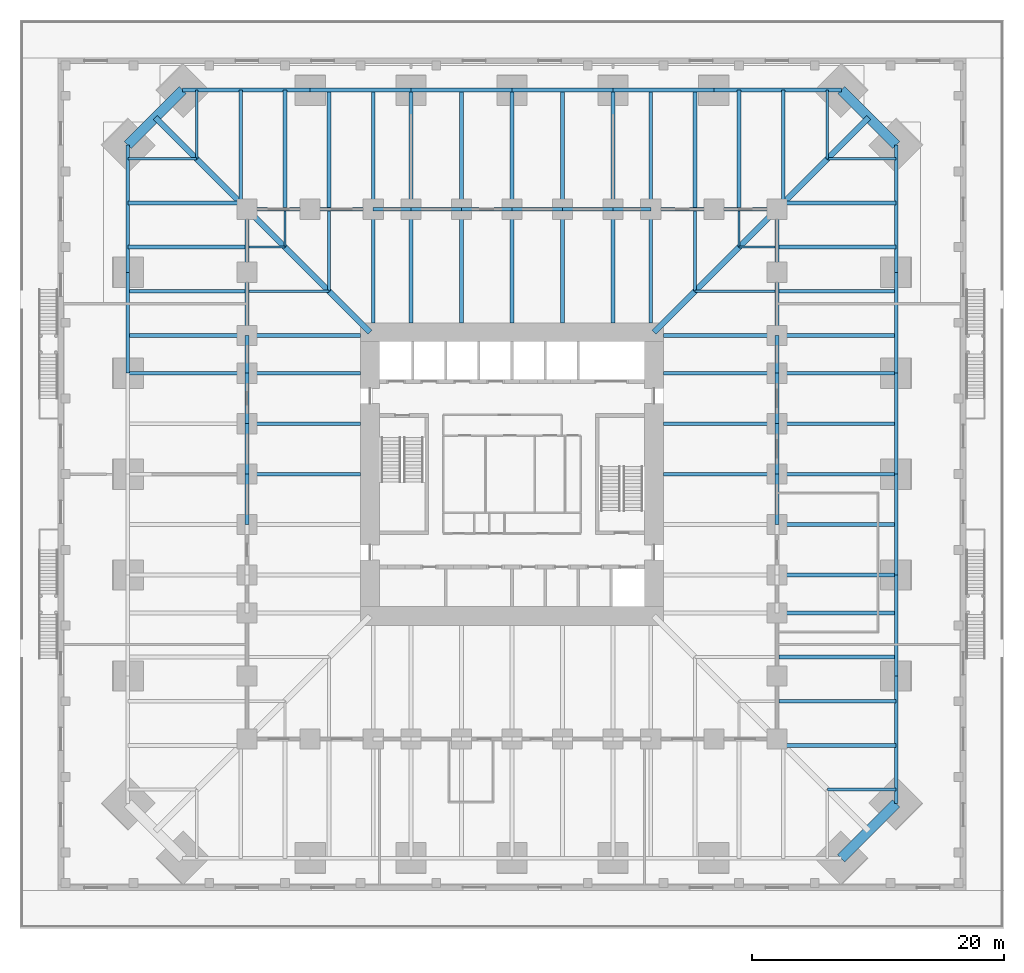
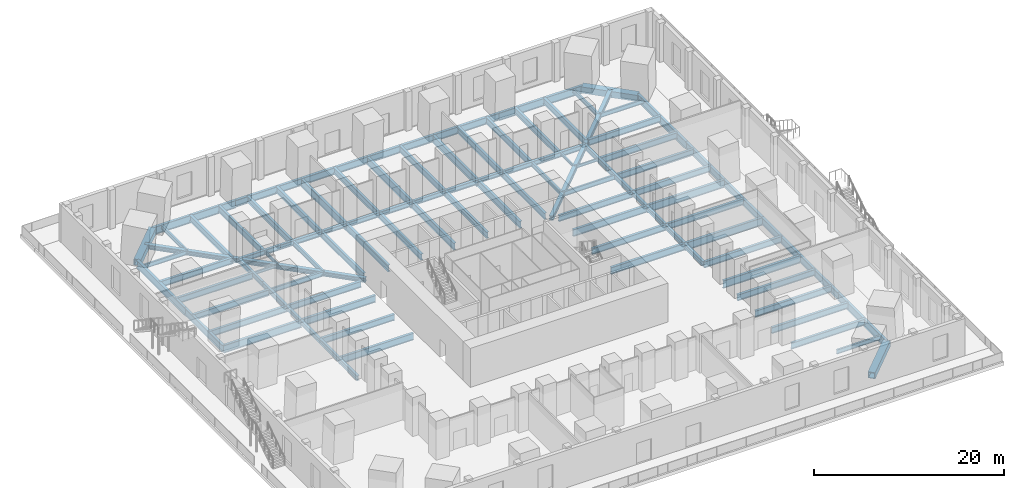
# One storey, part 8 of 20: 102 beams.
"""IFC4 building model written with IfcOpenShell, lengths in metres."""

from ifc_helpers import new_model, si_unit, direction, frame, origin, origin_2d, place, context, subcontext, project, spatial, hollow_rectangle, i_section, extrude, material, material_profile, profile_set, type_object, element, save


model = new_model("IFC4")

# Units and contexts
model_context = context("Model", 3, precision=1e-05, world=origin(), true_north=direction((0.0, 1.0)))
body_context = subcontext(model_context, "Body", "Model", "MODEL_VIEW")
ifc_project = project(units=[si_unit("LENGTHUNIT", "METRE"), si_unit("AREAUNIT", "SQUARE_METRE"), si_unit("VOLUMEUNIT", "CUBIC_METRE"), si_unit("PLANEANGLEUNIT", "RADIAN"), si_unit("MASSUNIT", "GRAM", prefix="KILO")], contexts=[model_context])

# Site, building, storey
site_placement = place(None, origin())
site = spatial("IfcSite", under=ifc_project, at=site_placement, CompositionType="ELEMENT")
building_placement = place(site_placement, origin())
building = spatial("IfcBuilding", under=site, at=building_placement, Name="Peilmerk Tower", CompositionType="ELEMENT")
storey_placement = place(building_placement, frame((0.0, 0.0, 11.0)))
storey = spatial("IfcBuildingStorey", under=building, at=storey_placement, Name="L02", CompositionType="ELEMENT", Elevation=11.0)

# Beams
ifc_material_1 = material(Name="Steel S355", Category="steel")
ifc_material_profile_1 = material_profile(ifc_material_1, i_section(OverallWidth=0.219970703125, OverallDepth=0.60009765625, WebThickness=0.011962890625, FlangeThickness=0.01904296875, at=origin_2d()), Name="IPE 600")
ifc_profile_set_1 = profile_set([ifc_material_profile_1], Name="Steel S355")
beam_type_1 = type_object("IfcBeamType", Name="B10 IPE 600 floor beam", PredefinedType="BEAM", material=ifc_profile_set_1)
for number, where, z_axis, x_axis, name in (
    (1, (14.5, 14.5, -0.5), (0.0, 1.0, 0.0), (-1.0, 0.0, 0.0), "Floor beam L02"),
    (2, (14.5, 14.5, -0.5), (1.0, 0.0, 0.0), (0.0, 1.0, 0.0), "Floor beam L02"),
    (3, (-14.5, 14.5, -0.5), (0.0, 1.0, 0.0), (-1.0, 0.0, 0.0), "Floor beam L02"),
    (4, (-14.5, 14.5, -0.5), (-1.0, 0.0, 0.0), (0.0, -1.0, 0.0), "Floor beam L02"),
):
    element("IfcBeam", number, at=place(storey_placement, frame(where, z_axis=z_axis, x_axis=x_axis)), inside=storey, type_object=beam_type_1, Name=name, PredefinedType="BEAM", context=body_context, shape_type="SweptSolid", body=[
        extrude(i_section(OverallWidth=0.219970703125, OverallDepth=0.60009765625, WebThickness=0.011962890625, FlangeThickness=0.01904296875, at=origin_2d()), origin(), (0.0, 0.0, 1.0), 6.347412109375),
    ])
ifc_material_profile_2 = material_profile(ifc_material_1, i_section(OverallWidth=0.169921875, OverallDepth=0.360107421875, WebThickness=0.008056640625, FlangeThickness=0.0126953125, at=origin_2d()), Name="IPE 360")
ifc_profile_set_2 = profile_set([ifc_material_profile_2], Name="Steel S355")
beam_type_2 = type_object("IfcBeamType", Name="B11 IPE 360 floor beam", PredefinedType="BEAM", material=ifc_profile_set_2)
for number, where, z_axis, x_axis, name in (
    (5, (18.0, 18.0, -0.3798828125), (0.0, 1.0, 0.0), (-1.0, 0.0, 0.0), "Floor beam L02"),
    (6, (18.0, 18.0, -0.3798828125), (1.0, 0.0, 0.0), (0.0, 1.0, 0.0), "Floor beam L02"),
    (7, (-18.0, 18.0, -0.3798828125), (0.0, 1.0, 0.0), (-1.0, 0.0, 0.0), "Floor beam L02"),
    (8, (-18.0, 18.0, -0.3798828125), (-1.0, 0.0, 0.0), (0.0, -1.0, 0.0), "Floor beam L02"),
):
    element("IfcBeam", number, at=place(storey_placement, frame(where, z_axis=z_axis, x_axis=x_axis)), inside=storey, type_object=beam_type_2, Name=name, PredefinedType="BEAM", context=body_context, shape_type="SweptSolid", body=[
        extrude(i_section(OverallWidth=0.169921875, OverallDepth=0.360107421875, WebThickness=0.008056640625, FlangeThickness=0.0126953125, at=origin_2d()), origin(), (0.0, 0.0, 1.0), 2.847412109375),
    ])
ifc_material_profile_3 = material_profile(ifc_material_1, i_section(OverallWidth=0.2099609375, OverallDepth=0.550048828125, WebThickness=0.010986328125, FlangeThickness=0.01708984375, at=origin_2d()), Name="IPE 550")
ifc_profile_set_3 = profile_set([ifc_material_profile_3], Name="Steel S355")
beam_type_3 = type_object("IfcBeamType", Name="B12 IPE 550 floor beam", PredefinedType="BEAM", material=ifc_profile_set_3)
for number, where, z_axis, x_axis, name in (
    (9, (25.0, 25.0, -0.47509765625), (0.0, 1.0, 0.0), (-1.0, 0.0, 0.0), "Floor beam L02"),
    (10, (25.0, 25.0, -0.47509765625), (1.0, 0.0, 0.0), (0.0, 1.0, 0.0), "Floor beam L02"),
    (11, (25.0, -25.0, -0.47509765625), (1.0, 0.0, 0.0), (0.0, 1.0, 0.0), "Floor beam L02"),
    (12, (-25.0, 25.0, -0.47509765625), (0.0, 1.0, 0.0), (-1.0, 0.0, 0.0), "Floor beam L02"),
    (13, (-25.0, 25.0, -0.47509765625), (-1.0, 0.0, 0.0), (0.0, -1.0, 0.0), "Floor beam L02"),
):
    element("IfcBeam", number, at=place(storey_placement, frame(where, z_axis=z_axis, x_axis=x_axis)), inside=storey, type_object=beam_type_3, Name=name, PredefinedType="BEAM", context=body_context, shape_type="SweptSolid", body=[
        extrude(i_section(OverallWidth=0.2099609375, OverallDepth=0.550048828125, WebThickness=0.010986328125, FlangeThickness=0.01708984375, at=origin_2d()), origin(), (0.0, 0.0, 1.0), 5.453125),
    ])
ifc_material_profile_4 = material_profile(ifc_material_1, i_section(OverallWidth=0.300048828125, OverallDepth=1.0, WebThickness=0.01904296875, FlangeThickness=0.035888671875, at=origin_2d()), Name="HEB 1000")
ifc_profile_set_4 = profile_set([ifc_material_profile_4], Name="Steel S355")
beam_type_4 = type_object("IfcBeamType", Name="B13 HEB 1000 edge beam", PredefinedType="SPANDREL", material=ifc_profile_set_4)
for number, where, z_axis, x_axis, name in (
    (14, (26.103271484375, 30.453125, -0.699951171875), (-1.0, 0.0, 0.0), (0.0, -1.0, 0.0), "Edge beam L02"),
    (15, (-16.0, 30.453125, -0.699951171875), (-1.0, 0.0, 0.0), (0.0, -1.0, 0.0), "Edge beam L02"),
    (16, (30.453125, -26.103271484375, -0.699951171875), (0.0, 1.0, 0.0), (-1.0, 0.0, 0.0), "Edge beam L02"),
    (17, (30.453125, 16.0, -0.699951171875), (0.0, 1.0, 0.0), (-1.0, 0.0, 0.0), "Edge beam L02"),
    (18, (-30.453125, 26.103271484375, -0.699951171875), (0.0, -1.0, 0.0), (1.0, 0.0, 0.0), "Edge beam L02"),
):
    element("IfcBeam", number, at=place(storey_placement, frame(where, z_axis=z_axis, x_axis=x_axis)), inside=storey, type_object=beam_type_4, Name=name, PredefinedType="SPANDREL", context=body_context, shape_type="SweptSolid", body=[
        extrude(i_section(OverallWidth=0.300048828125, OverallDepth=1.0, WebThickness=0.01904296875, FlangeThickness=0.035888671875, at=origin_2d()), origin(), (0.0, 0.0, 1.0), 10.103271484375),
    ])
ifc_material_profile_5 = material_profile(ifc_material_1, i_section(OverallWidth=0.300048828125, OverallDepth=0.989990234375, WebThickness=0.0166015625, FlangeThickness=0.031005859375, at=origin_2d()), Name="HEA 1000")
ifc_profile_set_5 = profile_set([ifc_material_profile_5], Name="Steel S355")
beam_type_5 = type_object("IfcBeamType", Name="B14 HEA 1000 floor girder", PredefinedType="BEAM", material=ifc_profile_set_5)
for number, where, z_axis, x_axis, name in (
    (19, (8.0, 21.0, -0.695068359375), (0.0, 1.0, 0.0), (-1.0, 0.0, 0.0), "Floor girder L02"),
    (20, (0.0, 21.0, -0.695068359375), (0.0, 1.0, 0.0), (-1.0, 0.0, 0.0), "Floor girder L02"),
    (21, (-8.0, 21.0, -0.695068359375), (0.0, 1.0, 0.0), (-1.0, 0.0, 0.0), "Floor girder L02"),
    (22, (21.0, -8.0, -0.695068359375), (1.0, 0.0, 0.0), (0.0, 1.0, 0.0), "Floor girder L02"),
    (23, (21.0, 0.0, -0.695068359375), (1.0, 0.0, 0.0), (0.0, 1.0, 0.0), "Floor girder L02"),
    (24, (21.0, 8.0, -0.695068359375), (1.0, 0.0, 0.0), (0.0, 1.0, 0.0), "Floor girder L02"),
    (25, (-21.0, 8.0, -0.695068359375), (-1.0, 0.0, 0.0), (0.0, -1.0, 0.0), "Floor girder L02"),
):
    element("IfcBeam", number, at=place(storey_placement, frame(where, z_axis=z_axis, x_axis=x_axis)), inside=storey, type_object=beam_type_5, Name=name, PredefinedType="BEAM", context=body_context, shape_type="SweptSolid", body=[
        extrude(i_section(OverallWidth=0.300048828125, OverallDepth=0.989990234375, WebThickness=0.0166015625, FlangeThickness=0.031005859375, at=origin_2d()), origin(), (0.0, 0.0, 1.0), 9.453125),
    ])
ifc_material_profile_6 = material_profile(ifc_material_1, i_section(OverallWidth=0.302001953125, OverallDepth=0.909912109375, WebThickness=0.02099609375, FlangeThickness=0.0400390625, at=origin_2d()), Name="HEM 900")
ifc_profile_set_6 = profile_set([ifc_material_profile_6], Name="Steel S355")
beam_type_6 = type_object("IfcBeamType", Name="B2 HEM 900 edge beam", PredefinedType="SPANDREL", material=ifc_profile_set_6)
for number, where, z_axis, x_axis, name in (
    (26, (16.0, 30.453125, -0.655029296875), (-1.0, 0.0, 0.0), (0.0, -1.0, 0.0), "Edge beam L02"),
    (27, (8.0, 30.453125, -0.655029296875), (-1.0, 0.0, 0.0), (0.0, -1.0, 0.0), "Edge beam L02"),
    (28, (0.0, 30.453125, -0.655029296875), (-1.0, 0.0, 0.0), (0.0, -1.0, 0.0), "Edge beam L02"),
    (29, (-8.0, 30.453125, -0.655029296875), (-1.0, 0.0, 0.0), (0.0, -1.0, 0.0), "Edge beam L02"),
    (30, (30.453125, -16.0, -0.655029296875), (0.0, 1.0, 0.0), (-1.0, 0.0, 0.0), "Edge beam L02"),
    (31, (30.453125, -8.0, -0.655029296875), (0.0, 1.0, 0.0), (-1.0, 0.0, 0.0), "Edge beam L02"),
    (32, (30.453125, 0.0, -0.655029296875), (0.0, 1.0, 0.0), (-1.0, 0.0, 0.0), "Edge beam L02"),
    (33, (30.453125, 8.0, -0.655029296875), (0.0, 1.0, 0.0), (-1.0, 0.0, 0.0), "Edge beam L02"),
    (34, (-30.453125, 16.0, -0.655029296875), (0.0, -1.0, 0.0), (1.0, 0.0, 0.0), "Edge beam L02"),
):
    element("IfcBeam", number, at=place(storey_placement, frame(where, z_axis=z_axis, x_axis=x_axis)), inside=storey, type_object=beam_type_6, Name=name, PredefinedType="SPANDREL", context=body_context, shape_type="SweptSolid", body=[
        extrude(i_section(OverallWidth=0.302001953125, OverallDepth=0.909912109375, WebThickness=0.02099609375, FlangeThickness=0.0400390625, at=origin_2d()), origin(), (0.0, 0.0, 1.0), 8.0),
    ])
ifc_material_profile_7 = material_profile(ifc_material_1, i_section(OverallWidth=0.300048828125, OverallDepth=0.7900390625, WebThickness=0.014892578125, FlangeThickness=0.028076171875, at=origin_2d()), Name="HEA 800")
ifc_profile_set_7 = profile_set([ifc_material_profile_7], Name="Steel S355")
beam_type_7 = type_object("IfcBeamType", Name="B3 HEA 800 floor beam", PredefinedType="BEAM", material=ifc_profile_set_7)
beam_1_placement = place(storey_placement, frame((11.0, 12.0, -0.594970703125), z_axis=(0.0, 1.0, 0.0), x_axis=(-1.0, 0.0, 0.0)))
element("IfcBeam", 35, at=beam_1_placement, inside=storey, type_object=beam_type_7, Name="Floor beam L02", PredefinedType="BEAM", context=body_context, shape_type="SweptSolid", body=[
    extrude(i_section(OverallWidth=0.300048828125, OverallDepth=0.7900390625, WebThickness=0.014892578125, FlangeThickness=0.028076171875, at=origin_2d()), origin(), (0.0, 0.0, 1.0), 9.0),
])
beam_2_placement = place(storey_placement, frame((11.0, 21.0, -0.594970703125), z_axis=(0.0, 1.0, 0.0), x_axis=(-1.0, 0.0, 0.0)))
element("IfcBeam", 36, at=beam_2_placement, inside=storey, type_object=beam_type_7, Name="Floor beam L02", PredefinedType="BEAM", context=body_context, shape_type="SweptSolid", body=[
    extrude(i_section(OverallWidth=0.300048828125, OverallDepth=0.7900390625, WebThickness=0.014892578125, FlangeThickness=0.028076171875, at=origin_2d()), origin(), (0.0, 0.0, 1.0), 9.453125),
])
beam_3_placement = place(storey_placement, frame((4.0, 12.0, -0.594970703125), z_axis=(0.0, 1.0, 0.0), x_axis=(-1.0, 0.0, 0.0)))
element("IfcBeam", 37, at=beam_3_placement, inside=storey, type_object=beam_type_7, Name="Floor beam L02", PredefinedType="BEAM", context=body_context, shape_type="SweptSolid", body=[
    extrude(i_section(OverallWidth=0.300048828125, OverallDepth=0.7900390625, WebThickness=0.014892578125, FlangeThickness=0.028076171875, at=origin_2d()), origin(), (0.0, 0.0, 1.0), 9.0),
])
beam_4_placement = place(storey_placement, frame((4.0, 21.0, -0.594970703125), z_axis=(0.0, 1.0, 0.0), x_axis=(-1.0, 0.0, 0.0)))
element("IfcBeam", 38, at=beam_4_placement, inside=storey, type_object=beam_type_7, Name="Floor beam L02", PredefinedType="BEAM", context=body_context, shape_type="SweptSolid", body=[
    extrude(i_section(OverallWidth=0.300048828125, OverallDepth=0.7900390625, WebThickness=0.014892578125, FlangeThickness=0.028076171875, at=origin_2d()), origin(), (0.0, 0.0, 1.0), 9.453125),
])
beam_5_placement = place(storey_placement, frame((-4.0, 12.0, -0.594970703125), z_axis=(0.0, 1.0, 0.0), x_axis=(-1.0, 0.0, 0.0)))
element("IfcBeam", 39, at=beam_5_placement, inside=storey, type_object=beam_type_7, Name="Floor beam L02", PredefinedType="BEAM", context=body_context, shape_type="SweptSolid", body=[
    extrude(i_section(OverallWidth=0.300048828125, OverallDepth=0.7900390625, WebThickness=0.014892578125, FlangeThickness=0.028076171875, at=origin_2d()), origin(), (0.0, 0.0, 1.0), 9.0),
])
beam_6_placement = place(storey_placement, frame((-4.0, 21.0, -0.594970703125), z_axis=(0.0, 1.0, 0.0), x_axis=(-1.0, 0.0, 0.0)))
element("IfcBeam", 40, at=beam_6_placement, inside=storey, type_object=beam_type_7, Name="Floor beam L02", PredefinedType="BEAM", context=body_context, shape_type="SweptSolid", body=[
    extrude(i_section(OverallWidth=0.300048828125, OverallDepth=0.7900390625, WebThickness=0.014892578125, FlangeThickness=0.028076171875, at=origin_2d()), origin(), (0.0, 0.0, 1.0), 9.453125),
])
beam_7_placement = place(storey_placement, frame((-11.0, 12.0, -0.594970703125), z_axis=(0.0, 1.0, 0.0), x_axis=(-1.0, 0.0, 0.0)))
element("IfcBeam", 41, at=beam_7_placement, inside=storey, type_object=beam_type_7, Name="Floor beam L02", PredefinedType="BEAM", context=body_context, shape_type="SweptSolid", body=[
    extrude(i_section(OverallWidth=0.300048828125, OverallDepth=0.7900390625, WebThickness=0.014892578125, FlangeThickness=0.028076171875, at=origin_2d()), origin(), (0.0, 0.0, 1.0), 9.0),
])
for number, where, z_axis, x_axis, name in (
    (42, (-11.0, 21.0, -0.594970703125), (0.0, 1.0, 0.0), (-1.0, 0.0, 0.0), "Floor beam L02"),
    (43, (21.0, -11.0, -0.594970703125), (1.0, 0.0, 0.0), (0.0, 1.0, 0.0), "Floor beam L02"),
    (44, (21.0, -4.0, -0.594970703125), (1.0, 0.0, 0.0), (0.0, 1.0, 0.0), "Floor beam L02"),
):
    element("IfcBeam", number, at=place(storey_placement, frame(where, z_axis=z_axis, x_axis=x_axis)), inside=storey, type_object=beam_type_7, Name=name, PredefinedType="BEAM", context=body_context, shape_type="SweptSolid", body=[
        extrude(i_section(OverallWidth=0.300048828125, OverallDepth=0.7900390625, WebThickness=0.014892578125, FlangeThickness=0.028076171875, at=origin_2d()), origin(), (0.0, 0.0, 1.0), 9.453125),
    ])
beam_8_placement = place(storey_placement, frame((12.0, 4.0, -0.594970703125), z_axis=(1.0, 0.0, 0.0), x_axis=(0.0, 1.0, 0.0)))
element("IfcBeam", 45, at=beam_8_placement, inside=storey, type_object=beam_type_7, Name="Floor beam L02", PredefinedType="BEAM", context=body_context, shape_type="SweptSolid", body=[
    extrude(i_section(OverallWidth=0.300048828125, OverallDepth=0.7900390625, WebThickness=0.014892578125, FlangeThickness=0.028076171875, at=origin_2d()), origin(), (0.0, 0.0, 1.0), 9.0),
])
beam_9_placement = place(storey_placement, frame((21.0, 4.0, -0.594970703125), z_axis=(1.0, 0.0, 0.0), x_axis=(0.0, 1.0, 0.0)))
element("IfcBeam", 46, at=beam_9_placement, inside=storey, type_object=beam_type_7, Name="Floor beam L02", PredefinedType="BEAM", context=body_context, shape_type="SweptSolid", body=[
    extrude(i_section(OverallWidth=0.300048828125, OverallDepth=0.7900390625, WebThickness=0.014892578125, FlangeThickness=0.028076171875, at=origin_2d()), origin(), (0.0, 0.0, 1.0), 9.453125),
])
beam_10_placement = place(storey_placement, frame((12.0, 11.0, -0.594970703125), z_axis=(1.0, 0.0, 0.0), x_axis=(0.0, 1.0, 0.0)))
element("IfcBeam", 47, at=beam_10_placement, inside=storey, type_object=beam_type_7, Name="Floor beam L02", PredefinedType="BEAM", context=body_context, shape_type="SweptSolid", body=[
    extrude(i_section(OverallWidth=0.300048828125, OverallDepth=0.7900390625, WebThickness=0.014892578125, FlangeThickness=0.028076171875, at=origin_2d()), origin(), (0.0, 0.0, 1.0), 9.0),
])
beam_11_placement = place(storey_placement, frame((21.0, 11.0, -0.594970703125), z_axis=(1.0, 0.0, 0.0), x_axis=(0.0, 1.0, 0.0)))
element("IfcBeam", 48, at=beam_11_placement, inside=storey, type_object=beam_type_7, Name="Floor beam L02", PredefinedType="BEAM", context=body_context, shape_type="SweptSolid", body=[
    extrude(i_section(OverallWidth=0.300048828125, OverallDepth=0.7900390625, WebThickness=0.014892578125, FlangeThickness=0.028076171875, at=origin_2d()), origin(), (0.0, 0.0, 1.0), 9.453125),
])
beam_12_placement = place(storey_placement, frame((-12.0, 11.0, -0.594970703125), z_axis=(-1.0, 0.0, 0.0), x_axis=(0.0, -1.0, 0.0)))
element("IfcBeam", 49, at=beam_12_placement, inside=storey, type_object=beam_type_7, Name="Floor beam L02", PredefinedType="BEAM", context=body_context, shape_type="SweptSolid", body=[
    extrude(i_section(OverallWidth=0.300048828125, OverallDepth=0.7900390625, WebThickness=0.014892578125, FlangeThickness=0.028076171875, at=origin_2d()), origin(), (0.0, 0.0, 1.0), 9.0),
])
beam_13_placement = place(storey_placement, frame((-21.0, 11.0, -0.594970703125), z_axis=(-1.0, 0.0, 0.0), x_axis=(0.0, -1.0, 0.0)))
element("IfcBeam", 50, at=beam_13_placement, inside=storey, type_object=beam_type_7, Name="Floor beam L02", PredefinedType="BEAM", context=body_context, shape_type="SweptSolid", body=[
    extrude(i_section(OverallWidth=0.300048828125, OverallDepth=0.7900390625, WebThickness=0.014892578125, FlangeThickness=0.028076171875, at=origin_2d()), origin(), (0.0, 0.0, 1.0), 9.453125),
])
beam_14_placement = place(storey_placement, frame((-12.0, 4.0, -0.594970703125), z_axis=(-1.0, 0.0, 0.0), x_axis=(0.0, -1.0, 0.0)))
element("IfcBeam", 51, at=beam_14_placement, inside=storey, type_object=beam_type_7, Name="Floor beam L02", PredefinedType="BEAM", context=body_context, shape_type="SweptSolid", body=[
    extrude(i_section(OverallWidth=0.300048828125, OverallDepth=0.7900390625, WebThickness=0.014892578125, FlangeThickness=0.028076171875, at=origin_2d()), origin(), (0.0, 0.0, 1.0), 9.0),
])
for number, where, z_axis, x_axis, name in (
    (52, (14.5, 21.152587890625, -0.594970703125), (0.0, 1.0, 0.0), (-1.0, 0.0, 0.0), "Floor beam L02"),
    (53, (21.152587890625, 14.5, -0.594970703125), (1.0, 0.0, 0.0), (0.0, 1.0, 0.0), "Floor beam L02"),
    (54, (18.0, 21.152587890625, -0.594970703125), (0.0, 1.0, 0.0), (-1.0, 0.0, 0.0), "Floor beam L02"),
    (55, (21.152587890625, 18.0, -0.594970703125), (1.0, 0.0, 0.0), (0.0, 1.0, 0.0), "Floor beam L02"),
):
    element("IfcBeam", number, at=place(storey_placement, frame(where, z_axis=z_axis, x_axis=x_axis)), inside=storey, type_object=beam_type_7, Name=name, PredefinedType="BEAM", context=body_context, shape_type="SweptSolid", body=[
        extrude(i_section(OverallWidth=0.300048828125, OverallDepth=0.7900390625, WebThickness=0.014892578125, FlangeThickness=0.028076171875, at=origin_2d()), origin(), (0.0, 0.0, 1.0), 9.300537109375),
    ])
for number, where, z_axis, x_axis, name in (
    (56, (21.5, 21.5, -0.594970703125), (0.0, 1.0, 0.0), (-1.0, 0.0, 0.0), "Floor beam L02"),
    (57, (21.5, 21.5, -0.594970703125), (1.0, 0.0, 0.0), (0.0, 1.0, 0.0), "Floor beam L02"),
):
    element("IfcBeam", number, at=place(storey_placement, frame(where, z_axis=z_axis, x_axis=x_axis)), inside=storey, type_object=beam_type_7, Name=name, PredefinedType="BEAM", context=body_context, shape_type="SweptSolid", body=[
        extrude(i_section(OverallWidth=0.300048828125, OverallDepth=0.7900390625, WebThickness=0.014892578125, FlangeThickness=0.028076171875, at=origin_2d()), origin(), (0.0, 0.0, 1.0), 8.953125),
    ])
for number, where, z_axis, x_axis, name in (
    (58, (21.152587890625, -14.5, -0.594970703125), (1.0, 0.0, 0.0), (0.0, 1.0, 0.0), "Floor beam L02"),
    (59, (21.152587890625, -18.0, -0.594970703125), (1.0, 0.0, 0.0), (0.0, 1.0, 0.0), "Floor beam L02"),
):
    element("IfcBeam", number, at=place(storey_placement, frame(where, z_axis=z_axis, x_axis=x_axis)), inside=storey, type_object=beam_type_7, Name=name, PredefinedType="BEAM", context=body_context, shape_type="SweptSolid", body=[
        extrude(i_section(OverallWidth=0.300048828125, OverallDepth=0.7900390625, WebThickness=0.014892578125, FlangeThickness=0.028076171875, at=origin_2d()), origin(), (0.0, 0.0, 1.0), 9.300537109375),
    ])
beam_15_placement = place(storey_placement, frame((21.5, -21.5, -0.594970703125), z_axis=(1.0, 0.0, 0.0), x_axis=(0.0, 1.0, 0.0)))
element("IfcBeam", 60, at=beam_15_placement, inside=storey, type_object=beam_type_7, Name="Floor beam L02", PredefinedType="BEAM", context=body_context, shape_type="SweptSolid", body=[
    extrude(i_section(OverallWidth=0.300048828125, OverallDepth=0.7900390625, WebThickness=0.014892578125, FlangeThickness=0.028076171875, at=origin_2d()), origin(), (0.0, 0.0, 1.0), 8.953125),
])
for number, where, z_axis, x_axis, name in (
    (61, (-14.5, 21.152587890625, -0.594970703125), (0.0, 1.0, 0.0), (-1.0, 0.0, 0.0), "Floor beam L02"),
    (62, (-21.152587890625, 14.5, -0.594970703125), (-1.0, 0.0, 0.0), (0.0, -1.0, 0.0), "Floor beam L02"),
    (63, (-18.0, 21.152587890625, -0.594970703125), (0.0, 1.0, 0.0), (-1.0, 0.0, 0.0), "Floor beam L02"),
    (64, (-21.152587890625, 18.0, -0.594970703125), (-1.0, 0.0, 0.0), (0.0, -1.0, 0.0), "Floor beam L02"),
):
    element("IfcBeam", number, at=place(storey_placement, frame(where, z_axis=z_axis, x_axis=x_axis)), inside=storey, type_object=beam_type_7, Name=name, PredefinedType="BEAM", context=body_context, shape_type="SweptSolid", body=[
        extrude(i_section(OverallWidth=0.300048828125, OverallDepth=0.7900390625, WebThickness=0.014892578125, FlangeThickness=0.028076171875, at=origin_2d()), origin(), (0.0, 0.0, 1.0), 9.300537109375),
    ])
for number, where, z_axis, x_axis, name in (
    (65, (-21.5, 21.5, -0.594970703125), (0.0, 1.0, 0.0), (-1.0, 0.0, 0.0), "Floor beam L02"),
    (66, (-21.5, 21.5, -0.594970703125), (-1.0, 0.0, 0.0), (0.0, -1.0, 0.0), "Floor beam L02"),
):
    element("IfcBeam", number, at=place(storey_placement, frame(where, z_axis=z_axis, x_axis=x_axis)), inside=storey, type_object=beam_type_7, Name=name, PredefinedType="BEAM", context=body_context, shape_type="SweptSolid", body=[
        extrude(i_section(OverallWidth=0.300048828125, OverallDepth=0.7900390625, WebThickness=0.014892578125, FlangeThickness=0.028076171875, at=origin_2d()), origin(), (0.0, 0.0, 1.0), 8.953125),
    ])
ifc_material_profile_8 = material_profile(ifc_material_1, i_section(OverallWidth=0.300048828125, OverallDepth=0.889892578125, WebThickness=0.01611328125, FlangeThickness=0.030029296875, at=origin_2d()), Name="HEA 900")
ifc_profile_set_8 = profile_set([ifc_material_profile_8], Name="Steel S355")
beam_type_8 = type_object("IfcBeamType", Name="B4 HEA 900 floor beam", PredefinedType="BEAM", material=ifc_profile_set_8)
for number, where, z_axis, x_axis, name in (
    (67, (8.0, 12.0, -0.64501953125), (0.0, 1.0, 0.0), (-1.0, 0.0, 0.0), "Floor girder L02"),
    (68, (0.0, 12.0, -0.64501953125), (0.0, 1.0, 0.0), (-1.0, 0.0, 0.0), "Floor girder L02"),
    (69, (-8.0, 12.0, -0.64501953125), (0.0, 1.0, 0.0), (-1.0, 0.0, 0.0), "Floor girder L02"),
    (70, (12.0, 0.0, -0.64501953125), (1.0, 0.0, 0.0), (0.0, 1.0, 0.0), "Floor girder L02"),
    (71, (12.0, 8.0, -0.64501953125), (1.0, 0.0, 0.0), (0.0, 1.0, 0.0), "Floor girder L02"),
    (72, (-12.0, 8.0, -0.64501953125), (-1.0, 0.0, 0.0), (0.0, -1.0, 0.0), "Floor girder L02"),
    (73, (-12.0, 0.0, -0.64501953125), (-1.0, 0.0, 0.0), (0.0, -1.0, 0.0), "Floor girder L02"),
):
    element("IfcBeam", number, at=place(storey_placement, frame(where, z_axis=z_axis, x_axis=x_axis)), inside=storey, type_object=beam_type_8, Name=name, PredefinedType="BEAM", context=body_context, shape_type="SweptSolid", body=[
        extrude(i_section(OverallWidth=0.300048828125, OverallDepth=0.889892578125, WebThickness=0.01611328125, FlangeThickness=0.030029296875, at=origin_2d()), origin(), (0.0, 0.0, 1.0), 9.0),
    ])
ifc_material_profile_9 = material_profile(ifc_material_1, i_section(OverallWidth=0.304931640625, OverallDepth=0.6201171875, WebThickness=0.02099609375, FlangeThickness=0.0400390625, at=origin_2d()), Name="HEM 600")
ifc_profile_set_9 = profile_set([ifc_material_profile_9], Name="Steel S355")
beam_type_9 = type_object("IfcBeamType", Name="B6 HEM 600 ring girder", PredefinedType="BEAM", material=ifc_profile_set_9)
for number, where, z_axis, x_axis, name in (
    (74, (21.0, 21.0, -0.510009765625), (-1.0, 0.0, 0.0), (0.0, -1.0, 0.0), "Ring girder L02"),
    (75, (16.0, 21.0, -0.510009765625), (-1.0, 0.0, 0.0), (0.0, -1.0, 0.0), "Ring girder L02"),
):
    element("IfcBeam", number, at=place(storey_placement, frame(where, z_axis=z_axis, x_axis=x_axis)), inside=storey, type_object=beam_type_9, Name=name, PredefinedType="BEAM", context=body_context, shape_type="SweptSolid", body=[
        extrude(i_section(OverallWidth=0.304931640625, OverallDepth=0.6201171875, WebThickness=0.02099609375, FlangeThickness=0.0400390625, at=origin_2d()), origin(), (0.0, 0.0, 1.0), 5.0),
    ])
for number, where, z_axis, x_axis, name in (
    (76, (8.0, 21.0, -0.510009765625), (-1.0, 0.0, 0.0), (0.0, -1.0, 0.0), "Ring girder L02"),
    (77, (4.0, 21.0, -0.510009765625), (-1.0, 0.0, 0.0), (0.0, -1.0, 0.0), "Ring girder L02"),
    (78, (0.0, 21.0, -0.510009765625), (-1.0, 0.0, 0.0), (0.0, -1.0, 0.0), "Ring girder L02"),
    (79, (-4.0, 21.0, -0.510009765625), (-1.0, 0.0, 0.0), (0.0, -1.0, 0.0), "Ring girder L02"),
):
    element("IfcBeam", number, at=place(storey_placement, frame(where, z_axis=z_axis, x_axis=x_axis)), inside=storey, type_object=beam_type_9, Name=name, PredefinedType="BEAM", context=body_context, shape_type="SweptSolid", body=[
        extrude(i_section(OverallWidth=0.304931640625, OverallDepth=0.6201171875, WebThickness=0.02099609375, FlangeThickness=0.0400390625, at=origin_2d()), origin(), (0.0, 0.0, 1.0), 4.0),
    ])
for number, where, z_axis, x_axis, name in (
    (80, (-11.0, 21.0, -0.510009765625), (-1.0, 0.0, 0.0), (0.0, -1.0, 0.0), "Ring girder L02"),
    (81, (-16.0, 21.0, -0.510009765625), (-1.0, 0.0, 0.0), (0.0, -1.0, 0.0), "Ring girder L02"),
):
    element("IfcBeam", number, at=place(storey_placement, frame(where, z_axis=z_axis, x_axis=x_axis)), inside=storey, type_object=beam_type_9, Name=name, PredefinedType="BEAM", context=body_context, shape_type="SweptSolid", body=[
        extrude(i_section(OverallWidth=0.304931640625, OverallDepth=0.6201171875, WebThickness=0.02099609375, FlangeThickness=0.0400390625, at=origin_2d()), origin(), (0.0, 0.0, 1.0), 5.0),
    ])
for number, where, z_axis, x_axis, name in (
    (82, (21.0, -4.0, -0.510009765625), (0.0, 1.0, 0.0), (-1.0, 0.0, 0.0), "Ring girder L02"),
    (83, (21.0, 0.0, -0.510009765625), (0.0, 1.0, 0.0), (-1.0, 0.0, 0.0), "Ring girder L02"),
    (84, (21.0, 4.0, -0.510009765625), (0.0, 1.0, 0.0), (-1.0, 0.0, 0.0), "Ring girder L02"),
):
    element("IfcBeam", number, at=place(storey_placement, frame(where, z_axis=z_axis, x_axis=x_axis)), inside=storey, type_object=beam_type_9, Name=name, PredefinedType="BEAM", context=body_context, shape_type="SweptSolid", body=[
        extrude(i_section(OverallWidth=0.304931640625, OverallDepth=0.6201171875, WebThickness=0.02099609375, FlangeThickness=0.0400390625, at=origin_2d()), origin(), (0.0, 0.0, 1.0), 4.0),
    ])
for number, where, z_axis, x_axis, name in (
    (85, (21.0, 11.0, -0.510009765625), (0.0, 1.0, 0.0), (-1.0, 0.0, 0.0), "Ring girder L02"),
    (86, (21.0, 16.0, -0.510009765625), (0.0, 1.0, 0.0), (-1.0, 0.0, 0.0), "Ring girder L02"),
    (87, (-21.0, 21.0, -0.510009765625), (0.0, -1.0, 0.0), (1.0, 0.0, 0.0), "Ring girder L02"),
    (88, (-21.0, 16.0, -0.510009765625), (0.0, -1.0, 0.0), (1.0, 0.0, 0.0), "Ring girder L02"),
):
    element("IfcBeam", number, at=place(storey_placement, frame(where, z_axis=z_axis, x_axis=x_axis)), inside=storey, type_object=beam_type_9, Name=name, PredefinedType="BEAM", context=body_context, shape_type="SweptSolid", body=[
        extrude(i_section(OverallWidth=0.304931640625, OverallDepth=0.6201171875, WebThickness=0.02099609375, FlangeThickness=0.0400390625, at=origin_2d()), origin(), (0.0, 0.0, 1.0), 5.0),
    ])
for number, where, z_axis, x_axis, name in (
    (89, (-21.0, 8.0, -0.510009765625), (0.0, -1.0, 0.0), (1.0, 0.0, 0.0), "Ring girder L02"),
    (90, (-21.0, 4.0, -0.510009765625), (0.0, -1.0, 0.0), (1.0, 0.0, 0.0), "Ring girder L02"),
    (91, (-21.0, 0.0, -0.510009765625), (0.0, -1.0, 0.0), (1.0, 0.0, 0.0), "Ring girder L02"),
):
    element("IfcBeam", number, at=place(storey_placement, frame(where, z_axis=z_axis, x_axis=x_axis)), inside=storey, type_object=beam_type_9, Name=name, PredefinedType="BEAM", context=body_context, shape_type="SweptSolid", body=[
        extrude(i_section(OverallWidth=0.304931640625, OverallDepth=0.6201171875, WebThickness=0.02099609375, FlangeThickness=0.0400390625, at=origin_2d()), origin(), (0.0, 0.0, 1.0), 4.0),
    ])
ifc_material_profile_10 = material_profile(ifc_material_1, i_section(OverallWidth=0.305908203125, OverallDepth=0.52392578125, WebThickness=0.02099609375, FlangeThickness=0.0400390625, at=origin_2d()), Name="HEM 500")
ifc_profile_set_10 = profile_set([ifc_material_profile_10], Name="Steel S355")
beam_type_10 = type_object("IfcBeamType", Name="B7 HEM 500 ring girder", PredefinedType="BEAM", material=ifc_profile_set_10)
for number, where, z_axis, x_axis, name in (
    (92, (11.0, 21.0, -0.4619140625), (-1.0, 0.0, 0.0), (0.0, -1.0, 0.0), "Ring girder L02"),
    (93, (-8.0, 21.0, -0.4619140625), (-1.0, 0.0, 0.0), (0.0, -1.0, 0.0), "Ring girder L02"),
    (94, (21.0, 8.0, -0.4619140625), (0.0, 1.0, 0.0), (-1.0, 0.0, 0.0), "Ring girder L02"),
    (95, (-21.0, 11.0, -0.4619140625), (0.0, -1.0, 0.0), (1.0, 0.0, 0.0), "Ring girder L02"),
):
    element("IfcBeam", number, at=place(storey_placement, frame(where, z_axis=z_axis, x_axis=x_axis)), inside=storey, type_object=beam_type_10, Name=name, PredefinedType="BEAM", context=body_context, shape_type="SweptSolid", body=[
        extrude(i_section(OverallWidth=0.305908203125, OverallDepth=0.52392578125, WebThickness=0.02099609375, FlangeThickness=0.0400390625, at=origin_2d()), origin(), (0.0, 0.0, 1.0), 3.0),
    ])
ifc_material_2 = material(Name="Steel S460", Category="steel")
ifc_material_profile_11 = material_profile(ifc_material_2, hollow_rectangle(XDim=0.800048828125, YDim=0.800048828125, WallThickness=0.080078125, at=origin_2d()), Name="BOX 800x800x80")
ifc_profile_set_11 = profile_set([ifc_material_profile_11], Name="Steel S460")
beam_type_11 = type_object("IfcBeamType", Name="B8 BOX 800x800x80 notch beam", PredefinedType="SPANDREL", material=ifc_profile_set_11)
for number, where, z_axis, x_axis, name in (
    (96, (26.103271484375, 30.453125, -0.60009765625), (0.707106781187, -0.707106781187, 0.0), (0.707106781187, 0.707106781187, 0.0), "Notch beam L02"),
    (97, (30.453125, -26.103271484375, -0.60009765625), (-0.707106781187, -0.707106781187, 0.0), (0.707106781187, -0.707106781187, 0.0), "Notch beam L02"),
    (98, (-30.453125, 26.103271484375, -0.60009765625), (0.707106781187, 0.707106781187, 0.0), (-0.707106781187, 0.707106781187, 0.0), "Notch beam L02"),
):
    element("IfcBeam", number, at=place(storey_placement, frame(where, z_axis=z_axis, x_axis=x_axis)), inside=storey, type_object=beam_type_11, Name=name, PredefinedType="SPANDREL", context=body_context, shape_type="SweptSolid", body=[
        extrude(hollow_rectangle(XDim=0.800048828125, YDim=0.800048828125, WallThickness=0.080078125, at=origin_2d()), origin(), (0.0, 0.0, 1.0), 6.151611328125),
    ])
ifc_material_profile_12 = material_profile(ifc_material_2, i_section(OverallWidth=0.4541015625, OverallDepth=0.569091796875, WebThickness=0.077880859375, FlangeThickness=0.125, at=origin_2d()), Name="HD 400x1086")
ifc_profile_set_12 = profile_set([ifc_material_profile_12], Name="Steel S460")
beam_type_12 = type_object("IfcBeamType", Name="B9 HD 400x1086 corner girder", PredefinedType="BEAM", material=ifc_profile_set_12)
beam_16_placement = place(storey_placement, frame((11.25, 11.25, -0.484619140625), z_axis=(0.707106781187, 0.707106781187, 0.0), x_axis=(-0.707106781187, 0.707106781187, 0.0)))
element("IfcBeam", 99, at=beam_16_placement, inside=storey, type_object=beam_type_12, Name="Corner girder L02", PredefinedType="BEAM", context=body_context, shape_type="SweptSolid", body=[
    extrude(i_section(OverallWidth=0.4541015625, OverallDepth=0.569091796875, WebThickness=0.077880859375, FlangeThickness=0.125, at=origin_2d()), origin(), (0.0, 0.0, 1.0), 13.78857421875),
])
beam_17_placement = place(storey_placement, frame((21.0, 21.0, -0.484619140625), z_axis=(0.707106781187, 0.707106781187, 0.0), x_axis=(-0.707106781187, 0.707106781187, 0.0)))
element("IfcBeam", 100, at=beam_17_placement, inside=storey, type_object=beam_type_12, Name="Corner girder L02", PredefinedType="BEAM", context=body_context, shape_type="SweptSolid", body=[
    extrude(i_section(OverallWidth=0.4541015625, OverallDepth=0.569091796875, WebThickness=0.077880859375, FlangeThickness=0.125, at=origin_2d()), origin(), (0.0, 0.0, 1.0), 10.293212890625),
])
beam_18_placement = place(storey_placement, frame((-11.25, 11.25, -0.484619140625), z_axis=(-0.707106781187, 0.707106781187, 0.0), x_axis=(-0.707106781187, -0.707106781187, 0.0)))
element("IfcBeam", 101, at=beam_18_placement, inside=storey, type_object=beam_type_12, Name="Corner girder L02", PredefinedType="BEAM", context=body_context, shape_type="SweptSolid", body=[
    extrude(i_section(OverallWidth=0.4541015625, OverallDepth=0.569091796875, WebThickness=0.077880859375, FlangeThickness=0.125, at=origin_2d()), origin(), (0.0, 0.0, 1.0), 13.78857421875),
])
beam_19_placement = place(storey_placement, frame((-21.0, 21.0, -0.484619140625), z_axis=(-0.707106781187, 0.707106781187, 0.0), x_axis=(-0.707106781187, -0.707106781187, 0.0)))
element("IfcBeam", 102, at=beam_19_placement, inside=storey, type_object=beam_type_12, Name="Corner girder L02", PredefinedType="BEAM", context=body_context, shape_type="SweptSolid", body=[
    extrude(i_section(OverallWidth=0.4541015625, OverallDepth=0.569091796875, WebThickness=0.077880859375, FlangeThickness=0.125, at=origin_2d()), origin(), (0.0, 0.0, 1.0), 10.293212890625),
])

save(model, "model.ifc")
